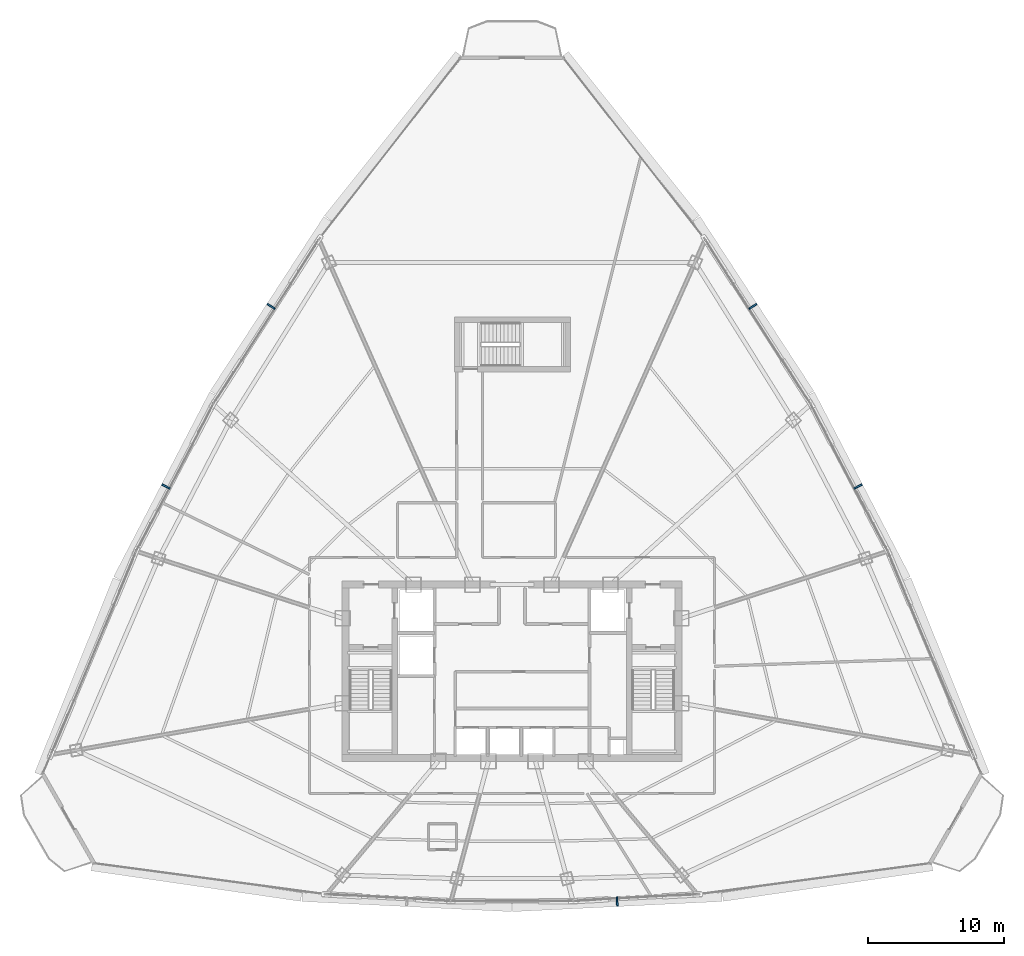
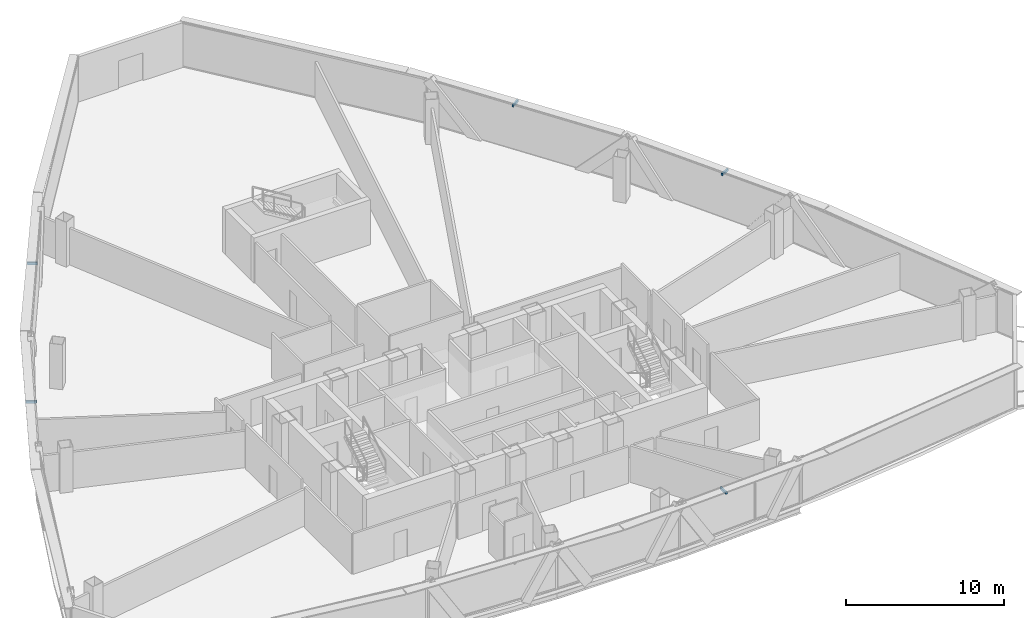
# One storey, part 33 of 37: 5 discrete accessories.
"""IFC4 building model written with IfcOpenShell, lengths in metres."""

from ifc_helpers import new_model, si_unit, direction, frame, origin, origin_2d, place, context, subcontext, project, spatial, rectangle, extrude, source, transform, mapped, material, type_object, element, save


model = new_model("IFC4")

# Units and contexts
model_context = context("Model", 3, precision=1e-05, world=origin(), true_north=direction((0.0, 1.0)))
body_context = subcontext(model_context, "Body", "Model", "MODEL_VIEW")
ifc_project = project(units=[si_unit("LENGTHUNIT", "METRE"), si_unit("AREAUNIT", "SQUARE_METRE"), si_unit("VOLUMEUNIT", "CUBIC_METRE"), si_unit("PLANEANGLEUNIT", "RADIAN"), si_unit("MASSUNIT", "GRAM", prefix="KILO"), si_unit("THERMODYNAMICTEMPERATUREUNIT", "KELVIN"), si_unit("POWERUNIT", "WATT")], contexts=[model_context])

# Site, building, storey
site_placement = place(None, origin())
site = spatial("IfcSite", under=ifc_project, at=site_placement, CompositionType="ELEMENT")
building_placement = place(site_placement, origin())
building = spatial("IfcBuilding", under=site, at=building_placement, Name="Yunzhuo Pagoda Commons", CompositionType="ELEMENT")
storey_placement = place(building_placement, frame((0.0, 0.0, 251.989990234375)))
storey = spatial("IfcBuildingStorey", under=building, at=storey_placement, Name="L63", CompositionType="ELEMENT", Elevation=251.989990234375)

# Discrete accessories
ifc_material = material(Name="Anodized aluminium 6063-T6", Category="aluminium")
discrete_accessory_type = type_object("IfcDiscreteAccessoryType", Name="BK-SUN1 Sunshade Outrigger Bracket", PredefinedType="BRACKET", material=ifc_material)
shared_shape = source(origin(), body_context, "Body", "SweptSolid", [
    extrude(rectangle(XDim=0.1201171875, YDim=0.679931640625, at=origin_2d()), origin(), (0.0, 0.0, 1.0), 0.179931640625),
])
for number, where, z_axis, x_axis, name in (
    (1, (55.704833984375, 16.972900390625, 3.26025390625), (0.0, 0.0, 1.0), (0.998818043775, 0.04860571396, 0.0), "L63 sunshade outrigger bracket F1.3"),
    (2, (73.35546875, 47.384521484375, 3.26025390625), (0.0, 0.0, 1.0), (-0.461206683033, 0.88729273384, 0.0), "L63 sunshade outrigger bracket F2.2"),
    (3, (65.650390625, 60.583984375, 3.26025390625), (0.0, 0.0, 1.0), (-0.545838756973, 0.837890238269, 0.0), "L63 sunshade outrigger bracket F2.3"),
    (4, (30.349609375, 60.583984375, 3.26025390625), (0.0, 0.0, 1.0), (-0.545838756973, -0.837890238269, 0.0), "L63 sunshade outrigger bracket F3.2"),
    (5, (22.64453125, 47.384521484375, 3.26025390625), (0.0, 0.0, 1.0), (-0.461206683033, -0.88729273384, 0.0), "L63 sunshade outrigger bracket F3.3"),
):
    element("IfcDiscreteAccessory", number, at=place(storey_placement, frame(where, z_axis=z_axis, x_axis=x_axis)), inside=storey, type_object=discrete_accessory_type, Name=name, PredefinedType="BRACKET", context=body_context, shape_type="MappedRepresentation", body=[
        mapped(shared_shape, transform((0.0, 0.0, 0.0), scale=1.0)),
    ])

save(model, "model.ifc")
